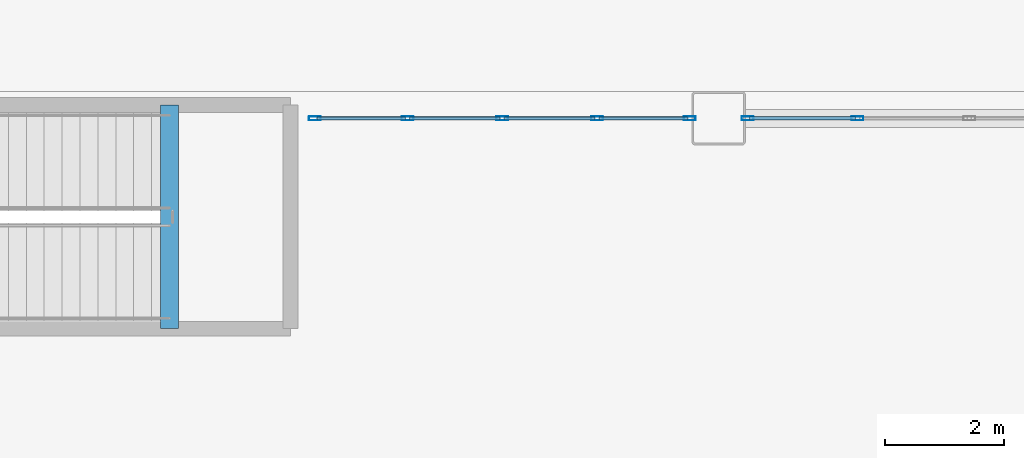
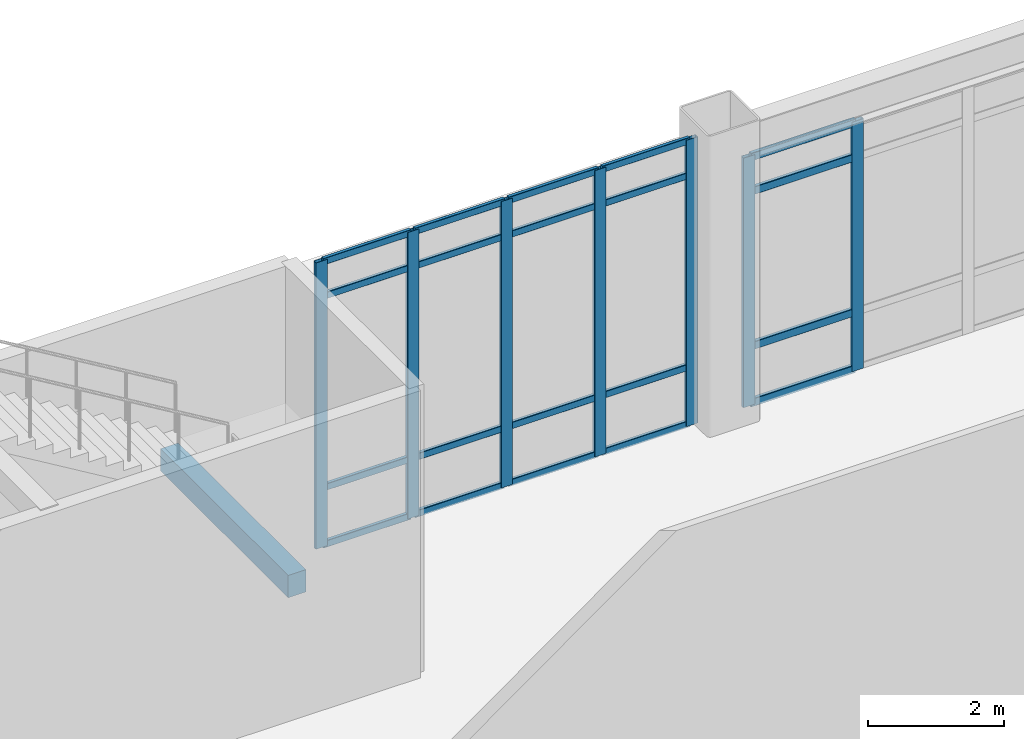
# One storey, part 66 of 165: 27 members, 1 beam, 2 elements without a shape of their own.
"""IFC4 building model written with IfcOpenShell, lengths in metres."""

from ifc_helpers import new_model, si_unit, direction, frame, origin, origin_2d, place, context, subcontext, project, spatial, rectangle, hollow_rectangle, extrude, material, layer, layer_set, material_profile, profile_set, type_object, element, aggregate, save


model = new_model("IFC4")

# Units and contexts
model_context = context("Model", 3, precision=1e-05, world=origin(), true_north=direction((0.0, 1.0)))
body_context = subcontext(model_context, "Body", "Model", "MODEL_VIEW")
ifc_project = project(units=[si_unit("LENGTHUNIT", "METRE"), si_unit("AREAUNIT", "SQUARE_METRE"), si_unit("VOLUMEUNIT", "CUBIC_METRE"), si_unit("PLANEANGLEUNIT", "RADIAN"), si_unit("MASSUNIT", "GRAM", prefix="KILO")], contexts=[model_context])

# Site, building, storey
site_placement = place(None, origin())
site = spatial("IfcSite", under=ifc_project, at=site_placement, CompositionType="ELEMENT")
building_placement = place(site_placement, origin())
building = spatial("IfcBuilding", under=site, at=building_placement, Name="Kazehara Bluff Congress Hotel", CompositionType="ELEMENT")
storey_placement = place(building_placement, origin())
storey = spatial("IfcBuildingStorey", under=building, at=storey_placement, Name="L00", CompositionType="ELEMENT", Elevation=0.0)

# Curtain wall, members
ifc_material_1 = material(Name="Anodised aluminium", Category="aluminium")
ifc_layer_1 = layer(ifc_material_1, 0.159912109375)
ifc_layer_set_1 = layer_set([ifc_layer_1], Name="Anodised aluminium")
curtain_wall_type_1 = type_object("IfcCurtainWallType", Name="TP-CW-04", PredefinedType="NOTDEFINED", material=ifc_layer_set_1)
curtain_wall_1_placement = place(storey_placement, origin())
curtain_wall_1 = element("IfcCurtainWall", 1, at=curtain_wall_1_placement, inside=storey, type_object=curtain_wall_type_1, Name="L00 curtain wall CW-04 CW-V1-L00-Y11355-1840", PredefinedType="NOTDEFINED")
ifc_material_2 = material(Name="Anodised aluminium", Category="aluminium")
ifc_material_profile_1 = material_profile(ifc_material_2, hollow_rectangle(XDim=0.070068359375, YDim=0.199951171875, WallThickness=0.0048828125, InnerFilletRadius=0.0048828125, OuterFilletRadius=0.010009765625, at=origin_2d()))
ifc_profile_set_1 = profile_set([ifc_material_profile_1], Name="Anodised aluminium")
member_type_1 = type_object("IfcMemberType", Name="TP-CWM-03", PredefinedType="MULLION", material=ifc_profile_set_1)
member_1_placement = place(storey_placement, frame((18.43505859375, 113.550048828125, 0.0), z_axis=(0.0, 0.0, 1.0), x_axis=(0.0, 1.0, 0.0)))
member_1 = element("IfcMember", 2, at=member_1_placement, type_object=member_type_1, Name="CW-04 mullion 1", PredefinedType="MULLION", context=body_context, shape_type="SweptSolid", body=[
    extrude(hollow_rectangle(XDim=0.070068359375, YDim=0.199951171875, WallThickness=0.0048828125, InnerFilletRadius=0.0048828125, OuterFilletRadius=0.010009765625, at=origin_2d()), origin(), (0.0, 0.0, 1.0), 5.135009765625),
])
member_2_placement = place(storey_placement, frame((19.987548828125, 113.550048828125, 0.0), z_axis=(0.0, 0.0, 1.0), x_axis=(0.0, 1.0, 0.0)))
member_2 = element("IfcMember", 3, at=member_2_placement, type_object=member_type_1, Name="CW-04 mullion 2", PredefinedType="MULLION", context=body_context, shape_type="SweptSolid", body=[
    extrude(hollow_rectangle(XDim=0.070068359375, YDim=0.199951171875, WallThickness=0.0048828125, InnerFilletRadius=0.0048828125, OuterFilletRadius=0.010009765625, at=origin_2d()), origin(), (0.0, 0.0, 1.0), 5.135009765625),
])
member_3_placement = place(storey_placement, frame((21.574951171875, 113.550048828125, 0.0), z_axis=(0.0, 0.0, 1.0), x_axis=(0.0, 1.0, 0.0)))
member_3 = element("IfcMember", 4, at=member_3_placement, type_object=member_type_1, Name="CW-04 mullion 3", PredefinedType="MULLION", context=body_context, shape_type="SweptSolid", body=[
    extrude(hollow_rectangle(XDim=0.070068359375, YDim=0.199951171875, WallThickness=0.0048828125, InnerFilletRadius=0.0048828125, OuterFilletRadius=0.010009765625, at=origin_2d()), origin(), (0.0, 0.0, 1.0), 5.135009765625),
])
member_4_placement = place(storey_placement, frame((23.16259765625, 113.550048828125, 0.0), z_axis=(0.0, 0.0, 1.0), x_axis=(0.0, 1.0, 0.0)))
member_4 = element("IfcMember", 5, at=member_4_placement, type_object=member_type_1, Name="CW-04 mullion 4", PredefinedType="MULLION", context=body_context, shape_type="SweptSolid", body=[
    extrude(hollow_rectangle(XDim=0.070068359375, YDim=0.199951171875, WallThickness=0.0048828125, InnerFilletRadius=0.0048828125, OuterFilletRadius=0.010009765625, at=origin_2d()), origin(), (0.0, 0.0, 1.0), 5.135009765625),
])
member_5_placement = place(storey_placement, frame((24.715087890625, 113.550048828125, 0.0), z_axis=(0.0, 0.0, 1.0), x_axis=(0.0, 1.0, 0.0)))
member_5 = element("IfcMember", 6, at=member_5_placement, type_object=member_type_1, Name="CW-04 mullion 5", PredefinedType="MULLION", context=body_context, shape_type="SweptSolid", body=[
    extrude(hollow_rectangle(XDim=0.070068359375, YDim=0.199951171875, WallThickness=0.0048828125, InnerFilletRadius=0.0048828125, OuterFilletRadius=0.010009765625, at=origin_2d()), origin(), (0.0, 0.0, 1.0), 5.135009765625),
])

ifc_material_3 = material(Name="Anodised aluminium", Category="aluminium")
ifc_layer_2 = layer(ifc_material_3, 0.159912109375)
ifc_layer_set_2 = layer_set([ifc_layer_2], Name="Anodised aluminium")
curtain_wall_type_2 = type_object("IfcCurtainWallType", Name="TP-CW-05", PredefinedType="NOTDEFINED", material=ifc_layer_set_2)
curtain_wall_2_placement = place(storey_placement, origin())
curtain_wall_2 = element("IfcCurtainWall", 7, at=curtain_wall_2_placement, inside=storey, type_object=curtain_wall_type_2, Name="L00 curtain wall CW-05 CW-V1-L00-Y11355-2565", PredefinedType="NOTDEFINED")
member_6_placement = place(storey_placement, frame((25.68505859375, 113.550048828125, 0.0), z_axis=(0.0, 0.0, 1.0), x_axis=(0.0, 1.0, 0.0)))
member_6 = element("IfcMember", 8, at=member_6_placement, type_object=member_type_1, Name="CW-05 mullion 1", PredefinedType="MULLION", context=body_context, shape_type="SweptSolid", body=[
    extrude(hollow_rectangle(XDim=0.070068359375, YDim=0.199951171875, WallThickness=0.0048828125, InnerFilletRadius=0.0048828125, OuterFilletRadius=0.010009765625, at=origin_2d()), origin(), (0.0, 0.0, 1.0), 4.47509765625),
])
member_7_placement = place(storey_placement, frame((27.52490234375, 113.550048828125, 0.0), z_axis=(0.0, 0.0, 1.0), x_axis=(0.0, 1.0, 0.0)))
member_7 = element("IfcMember", 9, at=member_7_placement, type_object=member_type_1, Name="CW-05 mullion 2", PredefinedType="MULLION", context=body_context, shape_type="SweptSolid", body=[
    extrude(hollow_rectangle(XDim=0.070068359375, YDim=0.199951171875, WallThickness=0.0048828125, InnerFilletRadius=0.0048828125, OuterFilletRadius=0.010009765625, at=origin_2d()), origin(), (0.0, 0.0, 1.0), 4.47509765625),
])

# Member
ifc_material_4 = material(Name="Anodised aluminium", Category="aluminium")
ifc_material_profile_2 = material_profile(ifc_material_4, hollow_rectangle(XDim=0.06005859375, YDim=0.1201171875, WallThickness=0.00390625, InnerFilletRadius=0.00390625, OuterFilletRadius=0.008056640625, at=origin_2d()))
ifc_profile_set_2 = profile_set([ifc_material_profile_2], Name="Anodised aluminium")
member_type_2 = type_object("IfcMemberType", Name="TP-CWT-01", PredefinedType="USERDEFINED", material=ifc_profile_set_2)
member_8_placement = place(storey_placement, frame((18.469970703125, 113.550048828125, 0.030029296875), z_axis=(1.0, 0.0, 0.0), x_axis=(0.0, 1.0, 0.0)))
member_8 = element("IfcMember", 10, at=member_8_placement, type_object=member_type_2, Name="CW-04 transom 1.1", ObjectType="TRANSOM", PredefinedType="USERDEFINED", context=body_context, shape_type="SweptSolid", body=[
    extrude(hollow_rectangle(XDim=0.06005859375, YDim=0.1201171875, WallThickness=0.00390625, InnerFilletRadius=0.00390625, OuterFilletRadius=0.008056640625, at=origin_2d()), origin(), (0.0, 0.0, 1.0), 1.482421875),
])

member_9_placement = place(storey_placement, frame((18.469970703125, 113.550048828125, 1.050048828125), z_axis=(1.0, 0.0, 0.0), x_axis=(0.0, 1.0, 0.0)))
member_9 = element("IfcMember", 11, at=member_9_placement, type_object=member_type_2, Name="CW-04 transom 1.2", ObjectType="TRANSOM", PredefinedType="USERDEFINED", context=body_context, shape_type="SweptSolid", body=[
    extrude(hollow_rectangle(XDim=0.06005859375, YDim=0.1201171875, WallThickness=0.00390625, InnerFilletRadius=0.00390625, OuterFilletRadius=0.008056640625, at=origin_2d()), origin(), (0.0, 0.0, 1.0), 1.482421875),
])

member_10_placement = place(storey_placement, frame((18.469970703125, 113.550048828125, 4.485107421875), z_axis=(1.0, 0.0, 0.0), x_axis=(0.0, 1.0, 0.0)))
member_10 = element("IfcMember", 12, at=member_10_placement, type_object=member_type_2, Name="CW-04 transom 1.3", ObjectType="TRANSOM", PredefinedType="USERDEFINED", context=body_context, shape_type="SweptSolid", body=[
    extrude(hollow_rectangle(XDim=0.06005859375, YDim=0.1201171875, WallThickness=0.00390625, InnerFilletRadius=0.00390625, OuterFilletRadius=0.008056640625, at=origin_2d()), origin(), (0.0, 0.0, 1.0), 1.482421875),
])

member_11_placement = place(storey_placement, frame((18.469970703125, 113.550048828125, 5.10498046875), z_axis=(1.0, 0.0, 0.0), x_axis=(0.0, 1.0, 0.0)))
member_11 = element("IfcMember", 13, at=member_11_placement, type_object=member_type_2, Name="CW-04 transom 1.4", ObjectType="TRANSOM", PredefinedType="USERDEFINED", context=body_context, shape_type="SweptSolid", body=[
    extrude(hollow_rectangle(XDim=0.06005859375, YDim=0.1201171875, WallThickness=0.00390625, InnerFilletRadius=0.00390625, OuterFilletRadius=0.008056640625, at=origin_2d()), origin(), (0.0, 0.0, 1.0), 1.482421875),
])

member_12_placement = place(storey_placement, frame((20.0224609375, 113.550048828125, 0.030029296875), z_axis=(1.0, 0.0, 0.0), x_axis=(0.0, 1.0, 0.0)))
member_12 = element("IfcMember", 14, at=member_12_placement, type_object=member_type_2, Name="CW-04 transom 2.1", ObjectType="TRANSOM", PredefinedType="USERDEFINED", context=body_context, shape_type="SweptSolid", body=[
    extrude(hollow_rectangle(XDim=0.06005859375, YDim=0.1201171875, WallThickness=0.00390625, InnerFilletRadius=0.00390625, OuterFilletRadius=0.008056640625, at=origin_2d()), origin(), (0.0, 0.0, 1.0), 1.517578125),
])

member_13_placement = place(storey_placement, frame((20.0224609375, 113.550048828125, 1.050048828125), z_axis=(1.0, 0.0, 0.0), x_axis=(0.0, 1.0, 0.0)))
member_13 = element("IfcMember", 15, at=member_13_placement, type_object=member_type_2, Name="CW-04 transom 2.2", ObjectType="TRANSOM", PredefinedType="USERDEFINED", context=body_context, shape_type="SweptSolid", body=[
    extrude(hollow_rectangle(XDim=0.06005859375, YDim=0.1201171875, WallThickness=0.00390625, InnerFilletRadius=0.00390625, OuterFilletRadius=0.008056640625, at=origin_2d()), origin(), (0.0, 0.0, 1.0), 1.517578125),
])

member_14_placement = place(storey_placement, frame((20.0224609375, 113.550048828125, 4.485107421875), z_axis=(1.0, 0.0, 0.0), x_axis=(0.0, 1.0, 0.0)))
member_14 = element("IfcMember", 16, at=member_14_placement, type_object=member_type_2, Name="CW-04 transom 2.3", ObjectType="TRANSOM", PredefinedType="USERDEFINED", context=body_context, shape_type="SweptSolid", body=[
    extrude(hollow_rectangle(XDim=0.06005859375, YDim=0.1201171875, WallThickness=0.00390625, InnerFilletRadius=0.00390625, OuterFilletRadius=0.008056640625, at=origin_2d()), origin(), (0.0, 0.0, 1.0), 1.517578125),
])

member_15_placement = place(storey_placement, frame((20.0224609375, 113.550048828125, 5.10498046875), z_axis=(1.0, 0.0, 0.0), x_axis=(0.0, 1.0, 0.0)))
member_15 = element("IfcMember", 17, at=member_15_placement, type_object=member_type_2, Name="CW-04 transom 2.4", ObjectType="TRANSOM", PredefinedType="USERDEFINED", context=body_context, shape_type="SweptSolid", body=[
    extrude(hollow_rectangle(XDim=0.06005859375, YDim=0.1201171875, WallThickness=0.00390625, InnerFilletRadius=0.00390625, OuterFilletRadius=0.008056640625, at=origin_2d()), origin(), (0.0, 0.0, 1.0), 1.517578125),
])

member_16_placement = place(storey_placement, frame((21.610107421875, 113.550048828125, 0.030029296875), z_axis=(1.0, 0.0, 0.0), x_axis=(0.0, 1.0, 0.0)))
member_16 = element("IfcMember", 18, at=member_16_placement, type_object=member_type_2, Name="CW-04 transom 3.1", ObjectType="TRANSOM", PredefinedType="USERDEFINED", context=body_context, shape_type="SweptSolid", body=[
    extrude(hollow_rectangle(XDim=0.06005859375, YDim=0.1201171875, WallThickness=0.00390625, InnerFilletRadius=0.00390625, OuterFilletRadius=0.008056640625, at=origin_2d()), origin(), (0.0, 0.0, 1.0), 1.517333984375),
])

member_17_placement = place(storey_placement, frame((21.610107421875, 113.550048828125, 1.050048828125), z_axis=(1.0, 0.0, 0.0), x_axis=(0.0, 1.0, 0.0)))
member_17 = element("IfcMember", 19, at=member_17_placement, type_object=member_type_2, Name="CW-04 transom 3.2", ObjectType="TRANSOM", PredefinedType="USERDEFINED", context=body_context, shape_type="SweptSolid", body=[
    extrude(hollow_rectangle(XDim=0.06005859375, YDim=0.1201171875, WallThickness=0.00390625, InnerFilletRadius=0.00390625, OuterFilletRadius=0.008056640625, at=origin_2d()), origin(), (0.0, 0.0, 1.0), 1.517333984375),
])

member_18_placement = place(storey_placement, frame((21.610107421875, 113.550048828125, 4.485107421875), z_axis=(1.0, 0.0, 0.0), x_axis=(0.0, 1.0, 0.0)))
member_18 = element("IfcMember", 20, at=member_18_placement, type_object=member_type_2, Name="CW-04 transom 3.3", ObjectType="TRANSOM", PredefinedType="USERDEFINED", context=body_context, shape_type="SweptSolid", body=[
    extrude(hollow_rectangle(XDim=0.06005859375, YDim=0.1201171875, WallThickness=0.00390625, InnerFilletRadius=0.00390625, OuterFilletRadius=0.008056640625, at=origin_2d()), origin(), (0.0, 0.0, 1.0), 1.517333984375),
])

member_19_placement = place(storey_placement, frame((21.610107421875, 113.550048828125, 5.10498046875), z_axis=(1.0, 0.0, 0.0), x_axis=(0.0, 1.0, 0.0)))
member_19 = element("IfcMember", 21, at=member_19_placement, type_object=member_type_2, Name="CW-04 transom 3.4", ObjectType="TRANSOM", PredefinedType="USERDEFINED", context=body_context, shape_type="SweptSolid", body=[
    extrude(hollow_rectangle(XDim=0.06005859375, YDim=0.1201171875, WallThickness=0.00390625, InnerFilletRadius=0.00390625, OuterFilletRadius=0.008056640625, at=origin_2d()), origin(), (0.0, 0.0, 1.0), 1.517333984375),
])

member_20_placement = place(storey_placement, frame((23.197509765625, 113.550048828125, 0.030029296875), z_axis=(1.0, 0.0, 0.0), x_axis=(0.0, 1.0, 0.0)))
member_20 = element("IfcMember", 22, at=member_20_placement, type_object=member_type_2, Name="CW-04 transom 4.1", ObjectType="TRANSOM", PredefinedType="USERDEFINED", context=body_context, shape_type="SweptSolid", body=[
    extrude(hollow_rectangle(XDim=0.06005859375, YDim=0.1201171875, WallThickness=0.00390625, InnerFilletRadius=0.00390625, OuterFilletRadius=0.008056640625, at=origin_2d()), origin(), (0.0, 0.0, 1.0), 1.482421875),
])

member_21_placement = place(storey_placement, frame((23.197509765625, 113.550048828125, 1.050048828125), z_axis=(1.0, 0.0, 0.0), x_axis=(0.0, 1.0, 0.0)))
member_21 = element("IfcMember", 23, at=member_21_placement, type_object=member_type_2, Name="CW-04 transom 4.2", ObjectType="TRANSOM", PredefinedType="USERDEFINED", context=body_context, shape_type="SweptSolid", body=[
    extrude(hollow_rectangle(XDim=0.06005859375, YDim=0.1201171875, WallThickness=0.00390625, InnerFilletRadius=0.00390625, OuterFilletRadius=0.008056640625, at=origin_2d()), origin(), (0.0, 0.0, 1.0), 1.482421875),
])

member_22_placement = place(storey_placement, frame((23.197509765625, 113.550048828125, 4.485107421875), z_axis=(1.0, 0.0, 0.0), x_axis=(0.0, 1.0, 0.0)))
member_22 = element("IfcMember", 24, at=member_22_placement, type_object=member_type_2, Name="CW-04 transom 4.3", ObjectType="TRANSOM", PredefinedType="USERDEFINED", context=body_context, shape_type="SweptSolid", body=[
    extrude(hollow_rectangle(XDim=0.06005859375, YDim=0.1201171875, WallThickness=0.00390625, InnerFilletRadius=0.00390625, OuterFilletRadius=0.008056640625, at=origin_2d()), origin(), (0.0, 0.0, 1.0), 1.482421875),
])

member_23_placement = place(storey_placement, frame((23.197509765625, 113.550048828125, 5.10498046875), z_axis=(1.0, 0.0, 0.0), x_axis=(0.0, 1.0, 0.0)))
member_23 = element("IfcMember", 25, at=member_23_placement, type_object=member_type_2, Name="CW-04 transom 4.4", ObjectType="TRANSOM", PredefinedType="USERDEFINED", context=body_context, shape_type="SweptSolid", body=[
    extrude(hollow_rectangle(XDim=0.06005859375, YDim=0.1201171875, WallThickness=0.00390625, InnerFilletRadius=0.00390625, OuterFilletRadius=0.008056640625, at=origin_2d()), origin(), (0.0, 0.0, 1.0), 1.482421875),
])

aggregate(curtain_wall_1, [member_1, member_2, member_3, member_4, member_5, member_8, member_9, member_10, member_11, member_12, member_13, member_14, member_15, member_16, member_17, member_18, member_19, member_20, member_21, member_22, member_23])

ifc_material_5 = material(Name="Anodised aluminium", Category="aluminium")
ifc_material_profile_3 = material_profile(ifc_material_5, hollow_rectangle(XDim=0.06494140625, YDim=0.139892578125, WallThickness=0.00390625, InnerFilletRadius=0.00390625, OuterFilletRadius=0.008056640625, at=origin_2d()))
ifc_profile_set_3 = profile_set([ifc_material_profile_3], Name="Anodised aluminium")
member_type_3 = type_object("IfcMemberType", Name="TP-CWT-02", PredefinedType="USERDEFINED", material=ifc_profile_set_3)
member_24_placement = place(storey_placement, frame((25.719970703125, 113.550048828125, 0.032470703125), z_axis=(1.0, 0.0, 0.0), x_axis=(0.0, 1.0, 0.0)))
member_24 = element("IfcMember", 26, at=member_24_placement, type_object=member_type_3, Name="CW-05 transom 1.1", ObjectType="TRANSOM", PredefinedType="USERDEFINED", context=body_context, shape_type="SweptSolid", body=[
    extrude(hollow_rectangle(XDim=0.06494140625, YDim=0.139892578125, WallThickness=0.00390625, InnerFilletRadius=0.00390625, OuterFilletRadius=0.008056640625, at=origin_2d()), origin(), (0.0, 0.0, 1.0), 1.77001953125),
])

member_25_placement = place(storey_placement, frame((25.719970703125, 113.550048828125, 1.050048828125), z_axis=(1.0, 0.0, 0.0), x_axis=(0.0, 1.0, 0.0)))
member_25 = element("IfcMember", 27, at=member_25_placement, type_object=member_type_3, Name="CW-05 transom 1.2", ObjectType="TRANSOM", PredefinedType="USERDEFINED", context=body_context, shape_type="SweptSolid", body=[
    extrude(hollow_rectangle(XDim=0.06494140625, YDim=0.139892578125, WallThickness=0.00390625, InnerFilletRadius=0.00390625, OuterFilletRadius=0.008056640625, at=origin_2d()), origin(), (0.0, 0.0, 1.0), 1.77001953125),
])

member_26_placement = place(storey_placement, frame((25.719970703125, 113.550048828125, 3.824951171875), z_axis=(1.0, 0.0, 0.0), x_axis=(0.0, 1.0, 0.0)))
member_26 = element("IfcMember", 28, at=member_26_placement, type_object=member_type_3, Name="CW-05 transom 1.3", ObjectType="TRANSOM", PredefinedType="USERDEFINED", context=body_context, shape_type="SweptSolid", body=[
    extrude(hollow_rectangle(XDim=0.06494140625, YDim=0.139892578125, WallThickness=0.00390625, InnerFilletRadius=0.00390625, OuterFilletRadius=0.008056640625, at=origin_2d()), origin(), (0.0, 0.0, 1.0), 1.77001953125),
])

member_27_placement = place(storey_placement, frame((25.719970703125, 113.550048828125, 4.4423828125), z_axis=(1.0, 0.0, 0.0), x_axis=(0.0, 1.0, 0.0)))
member_27 = element("IfcMember", 29, at=member_27_placement, type_object=member_type_3, Name="CW-05 transom 1.4", ObjectType="TRANSOM", PredefinedType="USERDEFINED", context=body_context, shape_type="SweptSolid", body=[
    extrude(hollow_rectangle(XDim=0.06494140625, YDim=0.139892578125, WallThickness=0.00390625, InnerFilletRadius=0.00390625, OuterFilletRadius=0.008056640625, at=origin_2d()), origin(), (0.0, 0.0, 1.0), 1.77001953125),
])

aggregate(curtain_wall_2, [member_6, member_7, member_24, member_25, member_26, member_27])

# Beam
ifc_material_6 = material(Name="Concrete C40/50", Category="concrete")
ifc_material_profile_4 = material_profile(ifc_material_6, rectangle(XDim=0.300048828125, YDim=0.39990234375, at=origin_2d()))
ifc_profile_set_4 = profile_set([ifc_material_profile_4], Name="Concrete C40/50")
beam_type = type_object("IfcBeamType", Name="TP-LN-02", PredefinedType="LINTEL", material=ifc_profile_set_4)
beam_placement = place(storey_placement, frame((16.0, 110.02490234375, 2.320068359375), z_axis=(0.0, 1.0, 0.0), x_axis=(-1.0, 0.0, 0.0)))
element("IfcBeam", 30, at=beam_placement, inside=storey, type_object=beam_type, Name="L00 ST-01 half-landing support beam 1", PredefinedType="LINTEL", context=body_context, shape_type="SweptSolid", body=[
    extrude(rectangle(XDim=0.300048828125, YDim=0.39990234375, at=origin_2d()), origin(), (0.0, 0.0, 1.0), 3.75),
])

save(model, "model.ifc")
